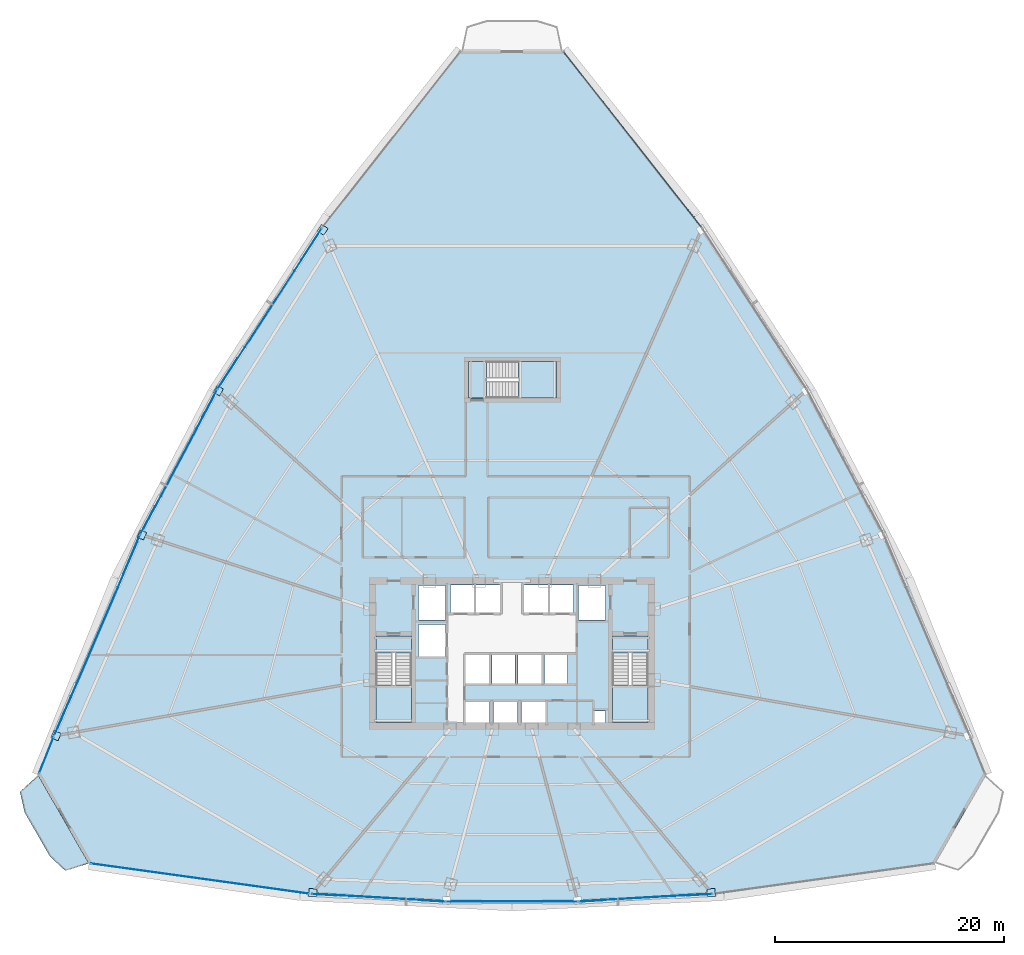
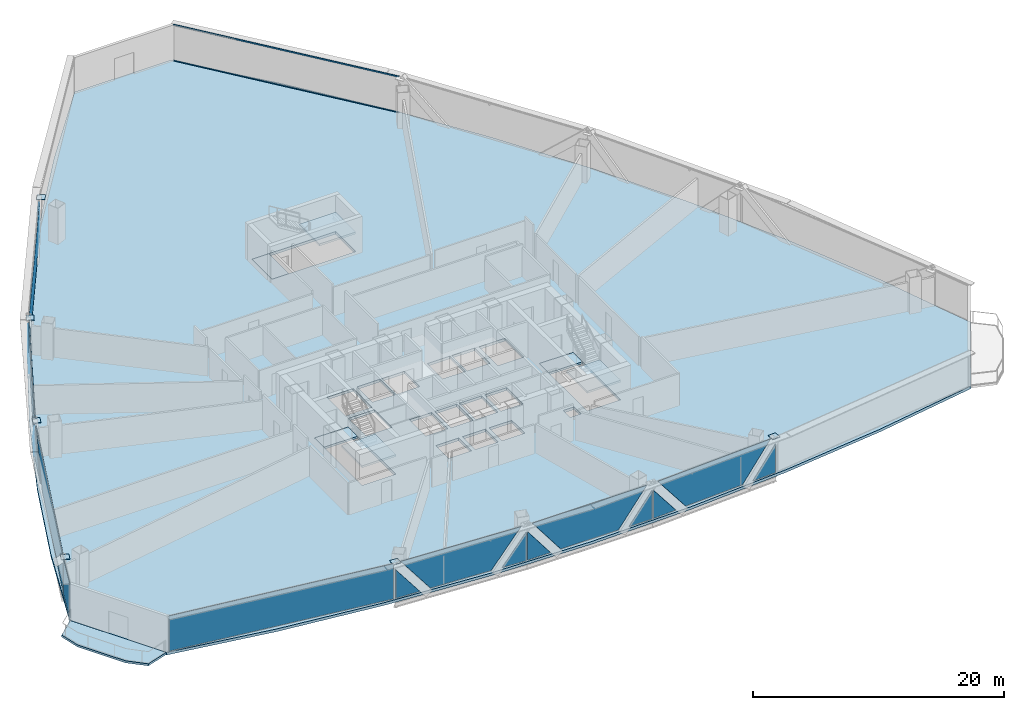
# One storey, part 27 of 36: 26 plates, 8 slabs, 2 members, 12 elements without a shape of their own.
"""IFC4 building model written with IfcOpenShell, lengths in metres."""

from ifc_helpers import new_model, si_unit, direction, frame, origin, origin_2d, place, context, subcontext, project, spatial, polyline, rectangle, hollow_rectangle, outline, extrude, source, transform, mapped, material, layer, layer_set, material_profile, profile_set, type_object, element, aggregate, save


model = new_model("IFC4")

# Units and contexts
model_context = context("Model", 3, precision=1e-05, world=origin(), true_north=direction((0.0, 1.0)))
body_context = subcontext(model_context, "Body", "Model", "MODEL_VIEW")
ifc_project = project(units=[si_unit("LENGTHUNIT", "METRE"), si_unit("AREAUNIT", "SQUARE_METRE"), si_unit("VOLUMEUNIT", "CUBIC_METRE"), si_unit("PLANEANGLEUNIT", "RADIAN"), si_unit("MASSUNIT", "GRAM", prefix="KILO"), si_unit("THERMODYNAMICTEMPERATUREUNIT", "KELVIN"), si_unit("POWERUNIT", "WATT")], contexts=[model_context])

# Site, building, storey
site_placement = place(None, origin())
site = spatial("IfcSite", under=ifc_project, at=site_placement, CompositionType="ELEMENT")
building_placement = place(site_placement, origin())
building = spatial("IfcBuilding", under=site, at=building_placement, Name="Yunzhuo Pagoda Commons", CompositionType="ELEMENT")
storey_placement = place(building_placement, frame((0.0, 0.0, 107.780029296875)))
storey = spatial("IfcBuildingStorey", under=building, at=storey_placement, Name="L27", CompositionType="ELEMENT", Elevation=107.780029296875)

# Curtain wall, members
ifc_material_1 = material(Name="Anodized aluminium 6063-T6", Category="aluminium")
ifc_layer_1 = layer(ifc_material_1, 0.1650390625)
ifc_layer_set_1 = layer_set([ifc_layer_1], Name="Anodized aluminium 6063-T6")
curtain_wall_type = type_object("IfcCurtainWallType", Name="CW-LOW Low-Zone Ribbon Curtain Wall", PredefinedType="NOTDEFINED", material=ifc_layer_set_1)
curtain_wall_1_placement = place(storey_placement, origin())
curtain_wall_1 = element("IfcCurtainWall", 1, at=curtain_wall_1_placement, inside=storey, type_object=curtain_wall_type, Name="L27 curtain wall CW-L27-F2B5", PredefinedType="NOTDEFINED")
ifc_material_profile = material_profile(ifc_material_1, hollow_rectangle(XDim=0.06005859375, YDim=0.139892578125, WallThickness=0.00341796875, at=origin_2d()), Name="Anodized aluminium 6063-T6")
ifc_profile_set = profile_set([ifc_material_profile], Name="Anodized aluminium 6063-T6")
member_type = type_object("IfcMemberType", Name="CW-LOW-T Transom RHS 140x60x3.5", PredefinedType="USERDEFINED", material=ifc_profile_set)
shared_shape_1 = source(origin(), body_context, "Body", "SweptSolid", [
    extrude(hollow_rectangle(XDim=0.06005859375, YDim=0.139892578125, WallThickness=0.00341796875, at=origin_2d()), origin(), (0.0, 0.0, 1.0), 19.41015625),
])
member_1_placement = place(storey_placement, frame((64.5498046875, 71.17578125, 0.030029296875), z_axis=(-0.61784377149, 0.78630088009, 0.0), x_axis=(-0.78630088009, -0.61784377149, 0.0)))
member_1 = element("IfcMember", 2, at=member_1_placement, type_object=member_type, Name="CW transom 1.1", ObjectType="TRANSOM", PredefinedType="USERDEFINED", context=body_context, shape_type="MappedRepresentation", body=[
    mapped(shared_shape_1, transform((0.0, 0.0, 0.0), scale=1.0)),
])
member_2_placement = place(storey_placement, frame((64.5498046875, 71.17578125, 3.510009765625), z_axis=(-0.61784377149, 0.78630088009, 0.0), x_axis=(-0.78630088009, -0.61784377149, 0.0)))
member_2 = element("IfcMember", 3, at=member_2_placement, type_object=member_type, Name="CW transom 1.2", ObjectType="TRANSOM", PredefinedType="USERDEFINED", context=body_context, shape_type="MappedRepresentation", body=[
    mapped(shared_shape_1, transform((0.0, 0.0, 0.0), scale=1.0)),
])
aggregate(curtain_wall_1, [member_1, member_2])

# Curtain wall, plates
curtain_wall_2_placement = place(storey_placement, origin())
curtain_wall_2 = element("IfcCurtainWall", 4, at=curtain_wall_2_placement, inside=storey, type_object=curtain_wall_type, Name="L27 curtain wall CW-L27-F1B2", PredefinedType="NOTDEFINED")
ifc_material_2 = material(Name="Tempered low-e double glazing", Category="glass")
ifc_layer_2 = layer(ifc_material_2, 0.028076171875)
ifc_layer_set_2 = layer_set([ifc_layer_2], Name="Tempered low-e double glazing")
plate_type_1 = type_object("IfcPlateType", Name="CW-LOW-P Low-E Double Glazing 28", PredefinedType="CURTAIN_PANEL", material=ifc_layer_set_2)
plate_1_placement = place(storey_placement, frame((31.6025390625, 12.74951171875, 1.44775390625), z_axis=(-0.057152816587, -0.998365441888, 0.0), x_axis=(0.998365441888, -0.057152816587, 0.0)))
plate_1 = element("IfcPlate", 5, at=plate_1_placement, type_object=plate_type_1, Name="CW panel 1.1 lite 1", PredefinedType="CURTAIN_PANEL", context=body_context, shape_type="SweptSolid", body=[
    extrude(outline(polyline([(-1.0751953125, -1.3876953125), (1.0751953125, -1.3876953125), (-1.0751953125, 1.3876953125), (-1.0751953125, -1.3876953125)])), origin(), (0.0, 0.0, 1.0), 0.028076171875),
])
plate_2_placement = place(storey_placement, frame((36.34423828125, 12.50830078125, 1.77001953125), z_axis=(-0.057152816587, -0.998365441888, 0.0), x_axis=(0.998365441888, -0.057152816587, 0.0)))
plate_2 = element("IfcPlate", 6, at=plate_2_placement, type_object=plate_type_1, Name="CW panel 1.1 lite 2", PredefinedType="CURTAIN_PANEL", context=body_context, shape_type="SweptSolid", body=[
    extrude(outline(polyline([(-5.360595703125, 1.7099609375), (-2.7109375, -1.7099609375), (2.7109375, -1.7099609375), (5.360595703125, 1.7099609375), (-5.360595703125, 1.7099609375)])), origin(), (0.0, 0.0, 1.0), 0.028076171875),
])
plate_3_placement = place(storey_placement, frame((41.082275390625, 12.20703125, 1.44775390625), z_axis=(-0.057152816587, -0.998365441888, 0.0), x_axis=(0.998365441888, -0.057152816587, 0.0)))
plate_3 = element("IfcPlate", 7, at=plate_3_placement, type_object=plate_type_1, Name="CW panel 1.1 lite 3", PredefinedType="CURTAIN_PANEL", context=body_context, shape_type="SweptSolid", body=[
    extrude(outline(polyline([(-1.0751953125, -1.3876953125), (1.0751953125, -1.3876953125), (1.0751953125, 1.3876953125), (-1.0751953125, -1.3876953125)])), origin(), (0.0, 0.0, 1.0), 0.028076171875),
])
aggregate(curtain_wall_2, [plate_1, plate_2, plate_3])

curtain_wall_3_placement = place(storey_placement, origin())
curtain_wall_3 = element("IfcCurtainWall", 8, at=curtain_wall_3_placement, inside=storey, type_object=curtain_wall_type, Name="L27 curtain wall CW-L27-F1B3", PredefinedType="NOTDEFINED")
plate_4_placement = place(storey_placement, frame((43.3369140625, 12.14208984375, 1.443359375), z_axis=(0.0, -1.0, 0.0), x_axis=(1.0, 0.0, 0.0)))
plate_4 = element("IfcPlate", 9, at=plate_4_placement, type_object=plate_type_1, Name="CW panel 1.1 lite 1", PredefinedType="CURTAIN_PANEL", context=body_context, shape_type="SweptSolid", body=[
    extrude(outline(polyline([(-1.05224609375, -1.38330078125), (1.05224609375, -1.38330078125), (-1.05224609375, 1.38330078125), (-1.05224609375, -1.38330078125)])), origin(), (0.0, 0.0, 1.0), 0.028076171875),
])
plate_5_placement = place(storey_placement, frame((48.0, 12.171875, 1.77001953125), z_axis=(0.0, -1.0, 0.0), x_axis=(1.0, 0.0, 0.0)))
plate_5 = element("IfcPlate", 10, at=plate_5_placement, type_object=plate_type_1, Name="CW panel 1.1 lite 2", PredefinedType="CURTAIN_PANEL", context=body_context, shape_type="SweptSolid", body=[
    extrude(outline(polyline([(-5.257080078125, 1.7099609375), (-2.656005859375, -1.7099609375), (2.656005859375, -1.7099609375), (5.257080078125, 1.7099609375), (-5.257080078125, 1.7099609375)])), origin(), (0.0, 0.0, 1.0), 0.028076171875),
])
plate_6_placement = place(storey_placement, frame((52.6630859375, 12.14208984375, 1.443359375), z_axis=(0.0, -1.0, 0.0), x_axis=(1.0, 0.0, 0.0)))
plate_6 = element("IfcPlate", 11, at=plate_6_placement, type_object=plate_type_1, Name="CW panel 1.1 lite 3", PredefinedType="CURTAIN_PANEL", context=body_context, shape_type="SweptSolid", body=[
    extrude(outline(polyline([(-1.05224609375, -1.38330078125), (1.05224609375, -1.38330078125), (1.05224609375, 1.38330078125), (-1.05224609375, -1.38330078125)])), origin(), (0.0, 0.0, 1.0), 0.028076171875),
])
aggregate(curtain_wall_3, [plate_4, plate_5, plate_6])

curtain_wall_4_placement = place(storey_placement, origin())
curtain_wall_4 = element("IfcCurtainWall", 12, at=curtain_wall_4_placement, inside=storey, type_object=curtain_wall_type, Name="L27 curtain wall CW-L27-F1B4", PredefinedType="NOTDEFINED")
plate_7_placement = place(storey_placement, frame((54.917724609375, 12.20703125, 1.44775390625), z_axis=(0.057152816587, -0.998365441888, 0.0), x_axis=(0.998365441888, 0.057152816587, 0.0)))
plate_7 = element("IfcPlate", 13, at=plate_7_placement, type_object=plate_type_1, Name="CW panel 1.1 lite 1", PredefinedType="CURTAIN_PANEL", context=body_context, shape_type="SweptSolid", body=[
    extrude(outline(polyline([(-1.0751953125, -1.3876953125), (1.0751953125, -1.3876953125), (-1.0751953125, 1.3876953125), (-1.0751953125, -1.3876953125)])), origin(), (0.0, 0.0, 1.0), 0.028076171875),
])
plate_8_placement = place(storey_placement, frame((59.65576171875, 12.50830078125, 1.77001953125), z_axis=(0.057152816587, -0.998365441888, 0.0), x_axis=(0.998365441888, 0.057152816587, 0.0)))
plate_8 = element("IfcPlate", 14, at=plate_8_placement, type_object=plate_type_1, Name="CW panel 1.1 lite 2", PredefinedType="CURTAIN_PANEL", context=body_context, shape_type="SweptSolid", body=[
    extrude(outline(polyline([(-5.360595703125, 1.7099609375), (-2.7109375, -1.7099609375), (2.7109375, -1.7099609375), (5.360595703125, 1.7099609375), (-5.360595703125, 1.7099609375)])), origin(), (0.0, 0.0, 1.0), 0.028076171875),
])
plate_9_placement = place(storey_placement, frame((64.3974609375, 12.74951171875, 1.44775390625), z_axis=(0.057152816587, -0.998365441888, 0.0), x_axis=(0.998365441888, 0.057152816587, 0.0)))
plate_9 = element("IfcPlate", 15, at=plate_9_placement, type_object=plate_type_1, Name="CW panel 1.1 lite 3", PredefinedType="CURTAIN_PANEL", context=body_context, shape_type="SweptSolid", body=[
    extrude(outline(polyline([(-1.0751953125, -1.3876953125), (1.0751953125, -1.3876953125), (1.0751953125, 1.3876953125), (-1.0751953125, -1.3876953125)])), origin(), (0.0, 0.0, 1.0), 0.028076171875),
])
aggregate(curtain_wall_4, [plate_7, plate_8, plate_9])

curtain_wall_5_placement = place(storey_placement, origin())
curtain_wall_5 = element("IfcCurtainWall", 16, at=curtain_wall_5_placement, inside=storey, type_object=curtain_wall_type, Name="L27 curtain wall CW-L27-F3B2", PredefinedType="NOTDEFINED")
plate_10_placement = place(storey_placement, frame((30.462890625, 69.650634765625, 1.5146484375), z_axis=(-0.839039875799, 0.544069928244, 0.0), x_axis=(-0.544069928244, -0.839039875799, 0.0)))
plate_10 = element("IfcPlate", 17, at=plate_10_placement, type_object=plate_type_1, Name="CW panel 1.1 lite 1", PredefinedType="CURTAIN_PANEL", context=body_context, shape_type="SweptSolid", body=[
    extrude(outline(polyline([(-1.6123046875, -1.45458984375), (1.6123046875, -1.45458984375), (-1.6123046875, 1.454833984375), (-1.6123046875, -1.45458984375)])), origin(), (0.0, 0.0, 1.0), 0.028076171875),
])
plate_11_placement = place(storey_placement, frame((26.818115234375, 63.974853515625, 1.77001953125), z_axis=(-0.839039875799, 0.544069928244, 0.0), x_axis=(-0.544069928244, -0.839039875799, 0.0)))
plate_11 = element("IfcPlate", 18, at=plate_11_placement, type_object=plate_type_1, Name="CW panel 1.1 lite 2", PredefinedType="CURTAIN_PANEL", context=body_context, shape_type="SweptSolid", body=[
    extrude(outline(polyline([(-7.7890625, 1.7099609375), (-3.998779296875, -1.7099609375), (3.998779296875, -1.7099609375), (7.7890625, 1.7099609375), (-7.7890625, 1.7099609375)])), origin(), (0.0, 0.0, 1.0), 0.028076171875),
])
plate_12_placement = place(storey_placement, frame((23.123046875, 58.331298828125, 1.5146484375), z_axis=(-0.839039875799, 0.544069928244, 0.0), x_axis=(-0.544069928244, -0.839039875799, 0.0)))
plate_12 = element("IfcPlate", 19, at=plate_12_placement, type_object=plate_type_1, Name="CW panel 1.1 lite 3", PredefinedType="CURTAIN_PANEL", context=body_context, shape_type="SweptSolid", body=[
    extrude(outline(polyline([(-1.6123046875, -1.45458984375), (1.6123046875, -1.45458984375), (1.6123046875, 1.454833984375), (-1.6123046875, -1.45458984375)])), origin(), (0.0, 0.0, 1.0), 0.028076171875),
])
aggregate(curtain_wall_5, [plate_10, plate_11, plate_12])

curtain_wall_6_placement = place(storey_placement, origin())
curtain_wall_6 = element("IfcCurtainWall", 20, at=curtain_wall_6_placement, inside=storey, type_object=curtain_wall_type, Name="L27 curtain wall CW-L27-F3B3", PredefinedType="NOTDEFINED")
plate_13_placement = place(storey_placement, frame((21.54833984375, 55.677490234375, 1.48876953125), z_axis=(-0.883152288181, 0.469086384241, 0.0), x_axis=(-0.469086384241, -0.883152288181, 0.0)))
plate_13 = element("IfcPlate", 21, at=plate_13_placement, type_object=plate_type_1, Name="CW panel 1.1 lite 1", PredefinedType="CURTAIN_PANEL", context=body_context, shape_type="SweptSolid", body=[
    extrude(outline(polyline([(-1.34765625, -1.4287109375), (1.34765625, -1.4287109375), (-1.34765625, 1.4287109375), (-1.34765625, -1.4287109375)])), origin(), (0.0, 0.0, 1.0), 0.028076171875),
])
plate_14_placement = place(storey_placement, frame((18.874755859375, 50.57958984375, 1.77001953125), z_axis=(-0.883152288181, 0.469086384241, 0.0), x_axis=(-0.469086384241, -0.883152288181, 0.0)))
plate_14 = element("IfcPlate", 22, at=plate_14_placement, type_object=plate_type_1, Name="CW panel 1.1 lite 2", PredefinedType="CURTAIN_PANEL", context=body_context, shape_type="SweptSolid", body=[
    extrude(outline(polyline([(-6.590087890625, 1.7099609375), (-3.364013671875, -1.7099609375), (3.364013671875, -1.7099609375), (6.590087890625, 1.7099609375), (-6.590087890625, 1.7099609375)])), origin(), (0.0, 0.0, 1.0), 0.028076171875),
])
plate_15_placement = place(storey_placement, frame((16.14794921875, 45.509765625, 1.48876953125), z_axis=(-0.883152288181, 0.469086384241, 0.0), x_axis=(-0.469086384241, -0.883152288181, 0.0)))
plate_15 = element("IfcPlate", 23, at=plate_15_placement, type_object=plate_type_1, Name="CW panel 1.1 lite 3", PredefinedType="CURTAIN_PANEL", context=body_context, shape_type="SweptSolid", body=[
    extrude(outline(polyline([(-1.34765625, -1.4287109375), (1.34765625, -1.4287109375), (1.34765625, 1.4287109375), (-1.34765625, -1.4287109375)])), origin(), (0.0, 0.0, 1.0), 0.028076171875),
])
aggregate(curtain_wall_6, [plate_13, plate_14, plate_15])

curtain_wall_7_placement = place(storey_placement, origin())
curtain_wall_7 = element("IfcCurtainWall", 24, at=curtain_wall_7_placement, inside=storey, type_object=curtain_wall_type, Name="L27 curtain wall CW-L27-F3B4", PredefinedType="NOTDEFINED")
plate_16_placement = place(storey_placement, frame((14.730224609375, 42.495849609375, 1.53173828125), z_axis=(-0.919516302226, 0.39305186673, 0.0), x_axis=(-0.39305186673, -0.919516302226, 0.0)))
plate_16 = element("IfcPlate", 25, at=plate_16_placement, type_object=plate_type_1, Name="CW panel 1.1 lite 1", PredefinedType="CURTAIN_PANEL", context=body_context, shape_type="SweptSolid", body=[
    extrude(outline(polyline([(-1.85693359375, -1.4716796875), (1.85693359375, -1.4716796875), (-1.85693359375, 1.4716796875), (-1.85693359375, -1.4716796875)])), origin(), (0.0, 0.0, 1.0), 0.028076171875),
])
plate_17_placement = place(storey_placement, frame((11.74462890625, 35.4345703125, 1.77001953125), z_axis=(-0.919516302226, 0.39305186673, 0.0), x_axis=(-0.39305186673, -0.919516302226, 0.0)))
plate_17 = element("IfcPlate", 26, at=plate_17_placement, type_object=plate_type_1, Name="CW panel 1.1 lite 2", PredefinedType="CURTAIN_PANEL", context=body_context, shape_type="SweptSolid", body=[
    extrude(outline(polyline([(-8.90087890625, 1.7099609375), (-4.586181640625, -1.7099609375), (4.586181640625, -1.7099609375), (8.90087890625, 1.7099609375), (-8.90087890625, 1.7099609375)])), origin(), (0.0, 0.0, 1.0), 0.028076171875),
])
plate_18_placement = place(storey_placement, frame((8.703857421875, 28.39697265625, 1.53173828125), z_axis=(-0.919516302226, 0.39305186673, 0.0), x_axis=(-0.39305186673, -0.919516302226, 0.0)))
plate_18 = element("IfcPlate", 27, at=plate_18_placement, type_object=plate_type_1, Name="CW panel 1.1 lite 3", PredefinedType="CURTAIN_PANEL", context=body_context, shape_type="SweptSolid", body=[
    extrude(outline(polyline([(-1.85693359375, -1.4716796875), (1.85693359375, -1.4716796875), (1.85693359375, 1.4716796875), (-1.85693359375, -1.4716796875)])), origin(), (0.0, 0.0, 1.0), 0.028076171875),
])
aggregate(curtain_wall_7, [plate_16, plate_17, plate_18])

# Slab
ifc_material_3 = material(Name="Concrete C40", Category="concrete")
ifc_layer_3 = layer(ifc_material_3, 0.199951171875)
ifc_layer_set_3 = layer_set([ifc_layer_3], Name="Concrete C40")
slab_type_1 = type_object("IfcSlabType", Name="SL-BAL Vertex Balcony Deck Slab 200", PredefinedType="FLOOR", material=ifc_layer_set_3)
slab_1_placement = place(storey_placement, frame((0.0, 0.0, -0.199951171875)))
element("IfcSlab", 28, at=slab_1_placement, inside=storey, type_object=slab_type_1, Name="L27 corner balcony V1", PredefinedType="FLOOR", context=body_context, shape_type="SweptSolid", body=[
    extrude(outline(polyline([(6.550537109375, 23.1923828125), (10.97265625, 15.49072265625), (8.931884765625, 14.837890625), (7.573486328125, 16.09912109375), (5.3623046875, 19.949951171875), (4.957763671875, 21.7587890625), (6.550537109375, 23.1923828125)])), origin(), (0.0, 0.0, 1.0), 0.199951171875),
])

# Stair, slabs
stair_type_1 = type_object("IfcStairType", Name="ST-C1 Core Smokeproof Stair ST1", PredefinedType="HALF_TURN_STAIR", material=ifc_material_3)
stair_1_placement = place(storey_placement, origin())
stair_1 = element("IfcStair", 29, at=stair_1_placement, inside=storey, type_object=stair_type_1, Name="L27 Core smokeproof stair ST1", PredefinedType="HALF_TURN_STAIR")
ifc_layer_4 = layer(ifc_material_3, 0.199951171875)
ifc_layer_set_4 = layer_set([ifc_layer_4], Name="Concrete C40")
slab_type_2 = type_object("IfcSlabType", Name="SL-LND1 Stair Landing Slab 200", PredefinedType="LANDING", material=ifc_layer_set_4)
slab_2_placement = place(storey_placement, frame((0.0, 0.0, 1.699951171875)))
slab_2 = element("IfcSlab", 30, at=slab_2_placement, type_object=slab_type_2, Name="ST1 landing 1", PredefinedType="LANDING", context=body_context, shape_type="SweptSolid", body=[
    extrude(outline(polyline([(36.10009765625, 31.10009765625), (36.10009765625, 27.800048828125), (39.199951171875, 27.800048828125), (39.199951171875, 31.10009765625), (36.10009765625, 31.10009765625)])), origin(), (0.0, 0.0, 1.0), 0.199951171875),
])
slab_3_placement = place(storey_placement, frame((0.0, 0.0, -0.199951171875)))
slab_3 = element("IfcSlab", 31, at=slab_3_placement, type_object=slab_type_2, Name="ST1 floor landing L27", PredefinedType="LANDING", context=body_context, shape_type="SweptSolid", body=[
    extrude(outline(polyline([(36.10009765625, 35.39990234375), (36.10009765625, 33.89990234375), (39.199951171875, 33.89990234375), (39.199951171875, 35.39990234375), (36.10009765625, 35.39990234375)])), origin(), (0.0, 0.0, 1.0), 0.199951171875),
])
aggregate(stair_1, [slab_2, slab_3])

stair_type_2 = type_object("IfcStairType", Name="ST-C2 Core Smokeproof Stair ST2", PredefinedType="HALF_TURN_STAIR", material=ifc_material_3)
stair_2_placement = place(storey_placement, origin())
stair_2 = element("IfcStair", 32, at=stair_2_placement, inside=storey, type_object=stair_type_2, Name="L27 Core smokeproof stair ST2", PredefinedType="HALF_TURN_STAIR")
ifc_layer_5 = layer(ifc_material_3, 0.201904296875)
ifc_layer_set_5 = layer_set([ifc_layer_5], Name="Concrete C40")
slab_type_3 = type_object("IfcSlabType", Name="SL-LND2 Stair Landing Slab 202", PredefinedType="LANDING", material=ifc_layer_set_5)
slab_4_placement = place(storey_placement, frame((0.0, 0.0, 1.699951171875)))
slab_4 = element("IfcSlab", 33, at=slab_4_placement, type_object=slab_type_3, Name="ST2 landing 1", PredefinedType="LANDING", context=body_context, shape_type="SweptSolid", body=[
    extrude(outline(polyline([(56.800048828125, 31.10009765625), (56.800048828125, 27.800048828125), (59.89990234375, 27.800048828125), (59.89990234375, 31.10009765625), (56.800048828125, 31.10009765625)])), origin(), (0.0, 0.0, 1.0), 0.199951171875),
])
slab_5_placement = place(storey_placement, frame((0.0, 0.0, -0.199951171875)))
slab_5 = element("IfcSlab", 34, at=slab_5_placement, type_object=slab_type_3, Name="ST2 floor landing L27", PredefinedType="LANDING", context=body_context, shape_type="SweptSolid", body=[
    extrude(outline(polyline([(56.800048828125, 35.39990234375), (56.800048828125, 33.89990234375), (59.89990234375, 33.89990234375), (59.89990234375, 35.39990234375), (56.800048828125, 35.39990234375)])), origin(), (0.0, 0.0, 1.0), 0.199951171875),
])
aggregate(stair_2, [slab_4, slab_5])

stair_type_3 = type_object("IfcStairType", Name="ST-C3 North Tower Smokeproof Stair ST3", PredefinedType="HALF_TURN_STAIR", material=ifc_material_3)
stair_3_placement = place(storey_placement, origin())
stair_3 = element("IfcStair", 35, at=stair_3_placement, inside=storey, type_object=stair_type_3, Name="L27 North tower smokeproof stair ST3", PredefinedType="HALF_TURN_STAIR")
ifc_layer_6 = layer(ifc_material_3, 0.2041015625)
ifc_layer_set_6 = layer_set([ifc_layer_6], Name="Concrete C40")
slab_type_4 = type_object("IfcSlabType", Name="SL-LND5 North Landing Slab 204", PredefinedType="LANDING", material=ifc_layer_set_6)
slab_6_placement = place(storey_placement, frame((0.0, 0.0, 1.699951171875)))
slab_6 = element("IfcSlab", 36, at=slab_6_placement, type_object=slab_type_4, Name="ST3 landing 1", PredefinedType="LANDING", context=body_context, shape_type="SweptSolid", body=[
    extrude(outline(polyline([(48.550048828125, 56.199951171875), (51.89990234375, 56.199951171875), (51.89990234375, 59.39990234375), (48.550048828125, 59.39990234375), (48.550048828125, 56.199951171875)])), origin(), (0.0, 0.0, 1.0), 0.199951171875),
])
slab_7_placement = place(storey_placement, frame((0.0, 0.0, -0.199951171875)))
slab_7 = element("IfcSlab", 37, at=slab_7_placement, type_object=slab_type_4, Name="ST3 floor landing L27", PredefinedType="LANDING", context=body_context, shape_type="SweptSolid", body=[
    extrude(outline(polyline([(44.199951171875, 56.199951171875), (45.75, 56.199951171875), (45.75, 59.39990234375), (44.199951171875, 59.39990234375), (44.199951171875, 56.199951171875)])), origin(), (0.0, 0.0, 1.0), 0.199951171875),
])
aggregate(stair_3, [slab_6, slab_7])

# Slab
ifc_layer_7 = layer(ifc_material_3, 0.260009765625)
ifc_layer_set_7 = layer_set([ifc_layer_7], Name="Concrete C40")
slab_type_5 = type_object("IfcSlabType", Name="SL-TWR Typical Tower Floor Slab 260", PredefinedType="FLOOR", material=ifc_layer_set_7)
slab_8_placement = place(storey_placement, frame((0.0, 0.0, -0.260009765625)))
element("IfcSlab", 38, at=slab_8_placement, inside=storey, type_object=slab_type_5, Name="L27 structural floor slab", PredefinedType="FLOOR", context=body_context, shape_type="SweptSolid", body=[
    extrude(outline(polyline([(9.8212890625, 31.91748046875), (13.476806640625, 40.4130859375), (17.521240234375, 48.681884765625), (21.95458984375, 56.723388671875), (26.77685546875, 64.537841796875), (31.98828125, 72.12548828125), (37.588623046875, 79.48583984375), (43.577880859375, 86.619140625), (52.422119140625, 86.619140625), (58.411376953125, 79.48583984375), (64.01171875, 72.12548828125), (69.22314453125, 64.537841796875), (74.04541015625, 56.723388671875), (78.478759765625, 48.681884765625), (82.523193359375, 40.4130859375), (86.1787109375, 31.91748046875), (89.445068359375, 23.19482421875), (85.02294921875, 15.4931640625), (75.76708984375, 13.916748046875), (66.511474609375, 12.790771484375), (57.255615234375, 12.115234375), (48.0, 11.889892578125), (38.744140625, 12.115234375), (29.488525390625, 12.790771484375), (20.232666015625, 13.916748046875), (10.97705078125, 15.4931640625), (6.554931640625, 23.19482421875), (9.8212890625, 31.91748046875)]), holes=[polyline([(46.050048828125, 27.60009765625), (46.050048828125, 29.64990234375), (43.949951171875, 29.64990234375), (43.949951171875, 27.60009765625), (46.050048828125, 27.60009765625)]), polyline([(48.5, 27.60009765625), (48.5, 29.64990234375), (46.39990234375, 29.64990234375), (46.39990234375, 27.60009765625), (48.5, 27.60009765625)]), polyline([(36.10009765625, 27.800048828125), (39.199951171875, 27.800048828125), (39.199951171875, 35.39990234375), (36.10009765625, 35.39990234375), (36.10009765625, 27.800048828125)]), polyline([(45.969970703125, 31.199951171875), (45.969970703125, 33.800048828125), (43.929931640625, 33.800048828125), (43.929931640625, 31.199951171875), (45.969970703125, 31.199951171875)]), polyline([(48.27001953125, 31.199951171875), (48.27001953125, 33.800048828125), (46.22998046875, 33.800048828125), (46.22998046875, 31.199951171875), (48.27001953125, 31.199951171875)]), polyline([(42.199951171875, 33.60009765625), (42.199951171875, 36.39990234375), (39.800048828125, 36.39990234375), (39.800048828125, 33.60009765625), (42.199951171875, 33.60009765625)]), polyline([(42.199951171875, 36.800048828125), (42.199951171875, 39.800048828125), (39.800048828125, 39.800048828125), (39.800048828125, 36.800048828125), (42.199951171875, 36.800048828125)]), polyline([(42.60009765625, 37.39990234375), (44.699951171875, 37.39990234375), (44.699951171875, 39.85009765625), (42.60009765625, 39.85009765625), (42.60009765625, 37.39990234375)]), polyline([(44.85009765625, 37.39990234375), (46.949951171875, 37.39990234375), (46.949951171875, 39.85009765625), (44.85009765625, 39.85009765625), (44.85009765625, 37.39990234375)]), polyline([(56.179931640625, 27.699951171875), (56.179931640625, 28.800048828125), (55.179931640625, 28.800048828125), (55.179931640625, 27.699951171875), (56.179931640625, 27.699951171875)]), polyline([(50.949951171875, 27.60009765625), (50.949951171875, 29.64990234375), (48.85009765625, 29.64990234375), (48.85009765625, 27.60009765625), (50.949951171875, 27.60009765625)]), polyline([(56.800048828125, 27.800048828125), (59.89990234375, 27.800048828125), (59.89990234375, 35.39990234375), (56.800048828125, 35.39990234375), (56.800048828125, 27.800048828125)]), polyline([(50.570068359375, 31.199951171875), (50.570068359375, 33.800048828125), (48.530029296875, 33.800048828125), (48.530029296875, 31.199951171875), (50.570068359375, 31.199951171875)]), polyline([(52.8701171875, 31.199951171875), (52.8701171875, 33.800048828125), (50.830078125, 33.800048828125), (50.830078125, 31.199951171875), (52.8701171875, 31.199951171875)]), polyline([(56.199951171875, 36.800048828125), (56.199951171875, 39.800048828125), (53.800048828125, 39.800048828125), (53.800048828125, 36.800048828125), (56.199951171875, 36.800048828125)]), polyline([(51.14990234375, 37.39990234375), (51.14990234375, 39.85009765625), (49.050048828125, 39.85009765625), (49.050048828125, 37.39990234375), (51.14990234375, 37.39990234375)]), polyline([(51.300048828125, 37.39990234375), (53.39990234375, 37.39990234375), (53.39990234375, 39.85009765625), (51.300048828125, 39.85009765625), (51.300048828125, 37.39990234375)]), polyline([(44.199951171875, 56.199951171875), (51.89990234375, 56.199951171875), (51.89990234375, 59.39990234375), (44.199951171875, 59.39990234375), (44.199951171875, 56.199951171875)])]), origin(), (0.0, 0.0, 1.0), 0.260009765625),
])

# Plates
ifc_material_4 = material(Name="Structural steel Q355B", Category="steel")
ifc_layer_8 = layer(ifc_material_4, 0.028076171875)
ifc_layer_set_8 = layer_set([ifc_layer_8], Name="Structural steel Q355B")
plate_type_2 = type_object("IfcPlateType", Name="SP-ND1 Lattice Node Cap Plate 800x500x28", PredefinedType="USERDEFINED", material=ifc_layer_set_8)
shared_shape_2 = source(origin(), body_context, "Body", "SweptSolid", [
    extrude(rectangle(XDim=0.699951171875, YDim=0.631591796875, at=origin_2d()), origin(), (0.0, 0.0, 1.0), 0.035888671875),
])
plate_19_placement = place(storey_placement, frame((22.30322265625, 56.83740234375, 3.501953125), z_axis=(0.0, 0.0, 1.0), x_axis=(-0.469086259542, -0.883152354415, 0.0)))
element("IfcPlate", 39, at=plate_19_placement, inside=storey, type_object=plate_type_2, Name="L27 setback lattice tie plate F3.2L", ObjectType="STIFFENER_PLATE", PredefinedType="USERDEFINED", context=body_context, shape_type="MappedRepresentation", body=[
    mapped(shared_shape_2, transform((0.0, 0.0, 0.0), scale=1.0)),
])
shared_shape_3 = source(origin(), body_context, "Body", "SweptSolid", [
    extrude(rectangle(XDim=0.699951171875, YDim=0.680908203125, at=origin_2d()), origin(), (0.0, 0.0, 1.0), 0.035888671875),
])
for number, where, z_axis, x_axis, name in (
    (40, (30.56982421875, 12.927490234375, 3.501953125), (0.0, 0.0, 1.0), (0.998365841392, -0.057145837479, 0.0), "L27 setback lattice tie plate F1.1L"),
    (41, (65.429931640625, 12.927490234375, 3.501953125), (0.0, 0.0, 1.0), (0.998365841392, 0.057145837479, 0.0), "L27 setback lattice tie plate F1.3R"),
):
    element("IfcPlate", number, at=place(storey_placement, frame(where, z_axis=z_axis, x_axis=x_axis)), inside=storey, type_object=plate_type_2, Name=name, ObjectType="STIFFENER_PLATE", PredefinedType="USERDEFINED", context=body_context, shape_type="MappedRepresentation", body=[
        mapped(shared_shape_3, transform((0.0, 0.0, 0.0), scale=1.0)),
    ])
shared_shape_4 = source(origin(), body_context, "Body", "SweptSolid", [
    extrude(rectangle(XDim=0.699951171875, YDim=0.694091796875, at=origin_2d()), origin(), (0.0, 0.0, 1.0), 0.035888671875),
])
plate_20_placement = place(storey_placement, frame((8.104736328125, 26.665283203125, 3.501953125), z_axis=(0.0, 0.0, 1.0), x_axis=(-0.393059421637, -0.919513072807, 0.0)))
element("IfcPlate", 42, at=plate_20_placement, inside=storey, type_object=plate_type_2, Name="L27 setback lattice tie plate F3.3R", ObjectType="STIFFENER_PLATE", PredefinedType="USERDEFINED", context=body_context, shape_type="MappedRepresentation", body=[
    mapped(shared_shape_4, transform((0.0, 0.0, 0.0), scale=1.0)),
])
shared_shape_5 = source(origin(), body_context, "Body", "SweptSolid", [
    extrude(rectangle(XDim=0.699951171875, YDim=0.6328125, at=origin_2d()), origin(), (0.0, 0.0, 1.0), 0.035888671875),
])
plate_21_placement = place(storey_placement, frame((15.607421875, 44.22509765625, 3.501953125), z_axis=(0.0, 0.0, 1.0), x_axis=(-0.393059421637, -0.919513072807, 0.0)))
element("IfcPlate", 43, at=plate_21_placement, inside=storey, type_object=plate_type_2, Name="L27 setback lattice tie plate F3.3L", ObjectType="STIFFENER_PLATE", PredefinedType="USERDEFINED", context=body_context, shape_type="MappedRepresentation", body=[
    mapped(shared_shape_5, transform((0.0, 0.0, 0.0), scale=1.0)),
])
shared_shape_6 = source(origin(), body_context, "Body", "SweptSolid", [
    extrude(rectangle(XDim=0.699951171875, YDim=0.67919921875, at=origin_2d()), origin(), (0.0, 0.0, 1.0), 0.035888671875),
])
plate_22_placement = place(storey_placement, frame((31.4306640625, 70.915283203125, 3.501953125), z_axis=(0.0, 0.0, 1.0), x_axis=(-0.54406804394, -0.839041097661, 0.0)))
element("IfcPlate", 44, at=plate_22_placement, inside=storey, type_object=plate_type_2, Name="L27 setback lattice tie plate F3.1L", ObjectType="STIFFENER_PLATE", PredefinedType="USERDEFINED", context=body_context, shape_type="MappedRepresentation", body=[
    mapped(shared_shape_6, transform((0.0, 0.0, 0.0), scale=1.0)),
])

# Curtain wall, plate
curtain_wall_8_placement = place(storey_placement, origin())
curtain_wall_8 = element("IfcCurtainWall", 45, at=curtain_wall_8_placement, inside=storey, type_object=curtain_wall_type, Name="L27 curtain wall CW-L27-F1B1", PredefinedType="NOTDEFINED")
shared_shape_7 = source(origin(), body_context, "Body", "SweptSolid", [
    extrude(rectangle(XDim=19.3056640625, YDim=0.028076171875, at=origin_2d()), origin(), (0.0, 0.0, 1.0), 3.419921875),
])
plate_23_placement = place(storey_placement, frame((20.76318359375, 14.143310546875, 0.06005859375), z_axis=(0.0, 0.0, 1.0), x_axis=(0.990559671801, -0.137082225692, 0.0)))
plate_23 = element("IfcPlate", 46, at=plate_23_placement, type_object=plate_type_1, Name="CW panel 1.1", PredefinedType="CURTAIN_PANEL", context=body_context, shape_type="MappedRepresentation", body=[
    mapped(shared_shape_7, transform((0.0, 0.0, 0.0), scale=1.0)),
])
aggregate(curtain_wall_8, [plate_23])

curtain_wall_9_placement = place(storey_placement, origin())
curtain_wall_9 = element("IfcCurtainWall", 47, at=curtain_wall_9_placement, inside=storey, type_object=curtain_wall_type, Name="L27 curtain wall CW-L27-F3B5", PredefinedType="NOTDEFINED")
shared_shape_8 = source(origin(), body_context, "Body", "SweptSolid", [
    extrude(rectangle(XDim=3.34130859375, YDim=0.028076171875, at=origin_2d()), origin(), (0.0, 0.0, 1.0), 3.419921875),
])
plate_24_placement = place(storey_placement, frame((7.263916015625, 24.953857421875, 0.06005859375), z_axis=(0.0, 0.0, 1.0), x_axis=(-0.370829373424, -0.928701015293, 0.0)))
plate_24 = element("IfcPlate", 48, at=plate_24_placement, type_object=plate_type_1, Name="CW panel 1.1", PredefinedType="CURTAIN_PANEL", context=body_context, shape_type="MappedRepresentation", body=[
    mapped(shared_shape_8, transform((0.0, 0.0, 0.0), scale=1.0)),
])
aggregate(curtain_wall_9, [plate_24])

save(model, "model.ifc")
